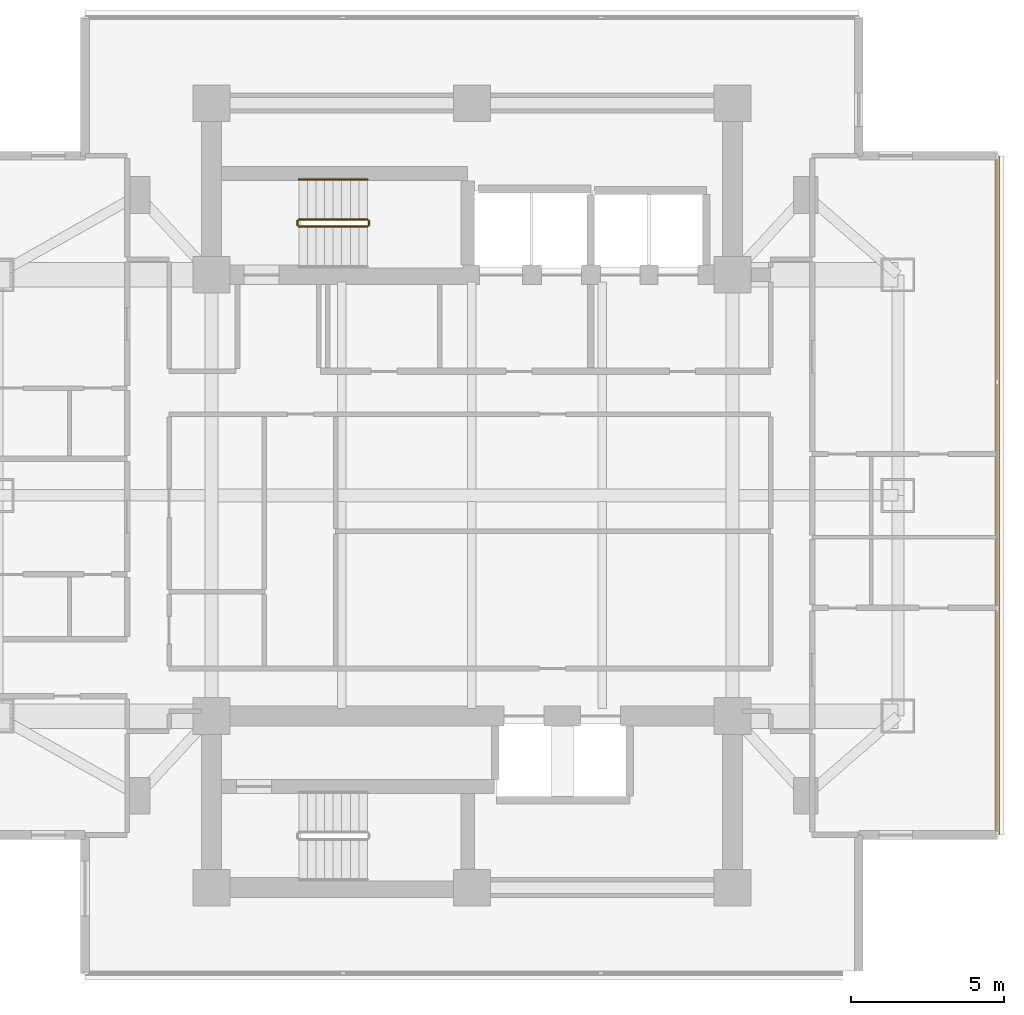
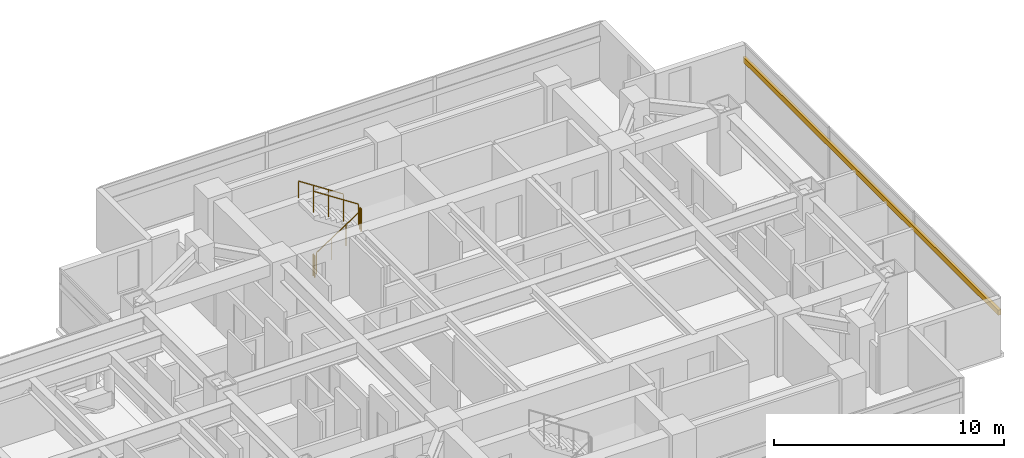
# One storey, part 28 of 29: 5 railings, 1 shading device.
"""IFC4 building model written with IfcOpenShell, lengths in metres."""

from ifc_helpers import new_model, si_unit, direction, frame, origin, origin_2d, place, context, subcontext, project, spatial, rectangle, circle, extrude, material, material_profile, profile_set, type_object, element, save


model = new_model("IFC4")

# Units and contexts
model_context = context("Model", 3, precision=1e-05, world=origin(), true_north=direction((0.0, 1.0)))
body_context = subcontext(model_context, "Body", "Model", "MODEL_VIEW")
ifc_project = project(units=[si_unit("LENGTHUNIT", "METRE"), si_unit("AREAUNIT", "SQUARE_METRE"), si_unit("VOLUMEUNIT", "CUBIC_METRE"), si_unit("PLANEANGLEUNIT", "RADIAN"), si_unit("MASSUNIT", "GRAM", prefix="KILO")], contexts=[model_context])

# Site, building, storey
site_placement = place(None, origin())
site = spatial("IfcSite", under=ifc_project, at=site_placement, CompositionType="ELEMENT")
building_placement = place(site_placement, origin())
building = spatial("IfcBuilding", under=site, at=building_placement, Name="Mirazonda Arch Towers", CompositionType="ELEMENT")
storey_placement = place(building_placement, frame((0.0, 0.0, 88.39990234375)))
storey = spatial("IfcBuildingStorey", under=building, at=storey_placement, Name="L24", CompositionType="ELEMENT", Elevation=88.39990234375)

# Shading device
ifc_material_1 = material(Name="Kiln-Fired Architectural Terracotta", Category="masonry")
ifc_material_profile = material_profile(ifc_material_1, rectangle(XDim=0.139892578125, YDim=0.280029296875, at=origin_2d()), Name="TERRA-BAG-140x280")
ifc_profile_set = profile_set([ifc_material_profile], Name="Kiln-Fired Architectural Terracotta")
shading_device_type = type_object("IfcShadingDeviceType", Name="BAGUETTE-3", PredefinedType="USERDEFINED", material=ifc_profile_set)
shading_device_placement = place(storey_placement, frame((93.642578125, 16.918701171875, 2.203369140625), z_axis=(0.0, 1.0, 0.0), x_axis=(-1.0, 0.0, 0.0)))
element("IfcShadingDevice", 1, at=shading_device_placement, inside=storey, type_object=shading_device_type, Name="L24 Glazed Terracotta Sun-Screen Baguette CW-L24-T2-E", ObjectType="BAGUETTE", PredefinedType="USERDEFINED", context=body_context, shape_type="SweptSolid", body=[
    extrude(rectangle(XDim=0.139892578125, YDim=0.280029296875, at=origin_2d()), origin(), (0.0, 0.0, 1.0), 22.16259765625),
])

# Railings
ifc_material_2 = material(Name="Architectural Brushed Steel S355", Category="steel")
railing_type_1 = type_object("IfcRailingType", Name="GUARD-STAIR-1120", PredefinedType="GUARDRAIL", material=ifc_material_2)
railing_1_placement = place(storey_placement, frame((70.85009765625, 36.77001953125, 0.183349609375)))
element("IfcRailing", 2, at=railing_1_placement, inside=storey, type_object=railing_type_1, Name="L24 ST-T2N stair guard 1", PredefinedType="GUARDRAIL", context=body_context, shape_type="SweptSolid", body=[
    extrude(circle(Radius=0.02392578125, at=origin_2d()), frame((0.0, 0.0, 1.1259765625), z_axis=(0.836595146698, 0.0, 0.547821650285), x_axis=(0.0, 1.0, 0.0)), (0.0, 0.0, 1.0), 2.677490234375),
    extrude(circle(Radius=0.02099609375, at=origin_2d()), origin(), (0.0, 0.0, 1.0), 1.101806640625),
    extrude(circle(Radius=0.02099609375, at=origin_2d()), frame((0.74658203125, 0.0, 0.489013671875)), (0.0, 0.0, 1.0), 1.101806640625),
    extrude(circle(Radius=0.02099609375, at=origin_2d()), frame((1.493408203125, 0.0, 0.977783203125)), (0.0, 0.0, 1.0), 1.101806640625),
    extrude(circle(Radius=0.02099609375, at=origin_2d()), frame((2.239990234375, 0.0, 1.466796875)), (0.0, 0.0, 1.0), 1.101806640625),
])
railing_2_placement = place(storey_placement, frame((73.139892578125, 36.820068359375, 1.650146484375)))
element("IfcRailing", 3, at=railing_2_placement, inside=storey, type_object=railing_type_1, Name="L24 ST-T2N stair guard 2", PredefinedType="GUARDRAIL", context=body_context, shape_type="SweptSolid", body=[
    extrude(circle(Radius=0.02392578125, at=origin_2d()), frame((0.0, 0.0, 1.1259765625), z_axis=(0.0, 1.0, 0.0), x_axis=(-1.0, 0.0, 0.0)), (0.0, 0.0, 1.0), 0.139892578125),
    extrude(circle(Radius=0.02099609375, at=origin_2d()), origin(), (0.0, 0.0, 1.0), 1.101806640625),
    extrude(circle(Radius=0.02099609375, at=origin_2d()), frame((0.0, 0.139892578125, 0.0)), (0.0, 0.0, 1.0), 1.101806640625),
])
railing_3_placement = place(storey_placement, frame((73.090087890625, 37.010009765625, 1.83349609375)))
element("IfcRailing", 4, at=railing_3_placement, inside=storey, type_object=railing_type_1, Name="L24 ST-T2N stair guard 3", PredefinedType="GUARDRAIL", context=body_context, shape_type="SweptSolid", body=[
    extrude(circle(Radius=0.02392578125, at=origin_2d()), frame((0.0, 0.0, 1.1259765625), z_axis=(-0.836636935527, 0.0, 0.547757827979), x_axis=(0.0, -1.0, 0.0)), (0.0, 0.0, 1.0), 2.677490234375),
    extrude(circle(Radius=0.02099609375, at=origin_2d()), origin(), (0.0, 0.0, 1.0), 1.101806640625),
    extrude(circle(Radius=0.02099609375, at=origin_2d()), frame((-0.74658203125, 0.0, 0.48876953125)), (0.0, 0.0, 1.0), 1.101806640625),
    extrude(circle(Radius=0.02099609375, at=origin_2d()), frame((-1.493408203125, 0.0, 0.977783203125)), (0.0, 0.0, 1.0), 1.101806640625),
    extrude(circle(Radius=0.02099609375, at=origin_2d()), frame((-2.239990234375, 0.0, 1.466552734375)), (0.0, 0.0, 1.0), 1.101806640625),
])
railing_4_placement = place(storey_placement, frame((70.800048828125, 36.820068359375, 0.0)))
element("IfcRailing", 5, at=railing_4_placement, inside=storey, type_object=railing_type_1, Name="L24 ST-T2N stair guard 4", PredefinedType="GUARDRAIL", context=body_context, shape_type="SweptSolid", body=[
    extrude(circle(Radius=0.02392578125, at=origin_2d()), frame((0.0, 0.0, 1.1259765625), z_axis=(0.0, 1.0, 0.0), x_axis=(-1.0, 0.0, 0.0)), (0.0, 0.0, 1.0), 0.139892578125),
    extrude(circle(Radius=0.02099609375, at=origin_2d()), origin(), (0.0, 0.0, 1.0), 1.101806640625),
    extrude(circle(Radius=0.02099609375, at=origin_2d()), frame((0.0, 0.139892578125, 0.0)), (0.0, 0.0, 1.0), 1.101806640625),
])
railing_type_2 = type_object("IfcRailingType", Name="HANDRAIL-915", PredefinedType="HANDRAIL", material=ifc_material_2)
railing_5_placement = place(storey_placement, frame((73.090087890625, 38.31005859375, 1.83349609375)))
element("IfcRailing", 6, at=railing_5_placement, inside=storey, type_object=railing_type_2, Name="L24 ST-T2N stair handrail 2", PredefinedType="HANDRAIL", context=body_context, shape_type="SweptSolid", body=[
    extrude(circle(Radius=0.02392578125, at=origin_2d()), frame((0.0, 0.0, 0.8759765625), z_axis=(-0.836636935527, 0.0, 0.547757827979), x_axis=(0.0, -1.0, 0.0)), (0.0, 0.0, 1.0), 2.677490234375),
    extrude(circle(Radius=0.02099609375, at=origin_2d()), origin(), (0.0, 0.0, 1.0), 0.851806640625),
    extrude(circle(Radius=0.02099609375, at=origin_2d()), frame((-0.74658203125, 0.0, 0.48876953125)), (0.0, 0.0, 1.0), 0.851806640625),
    extrude(circle(Radius=0.02099609375, at=origin_2d()), frame((-1.493408203125, 0.0, 0.977783203125)), (0.0, 0.0, 1.0), 0.851806640625),
    extrude(circle(Radius=0.02099609375, at=origin_2d()), frame((-2.239990234375, 0.0, 1.466552734375)), (0.0, 0.0, 1.0), 0.851806640625),
])

save(model, "model.ifc")
